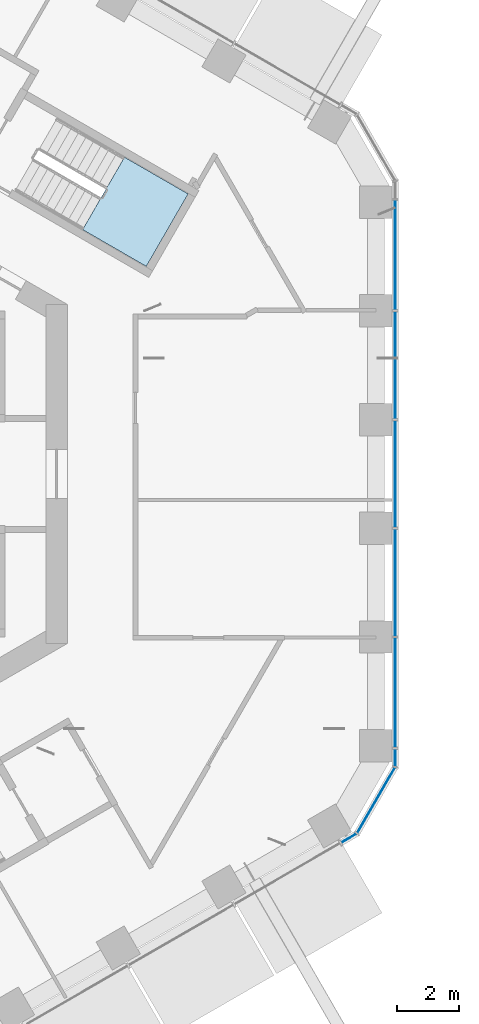
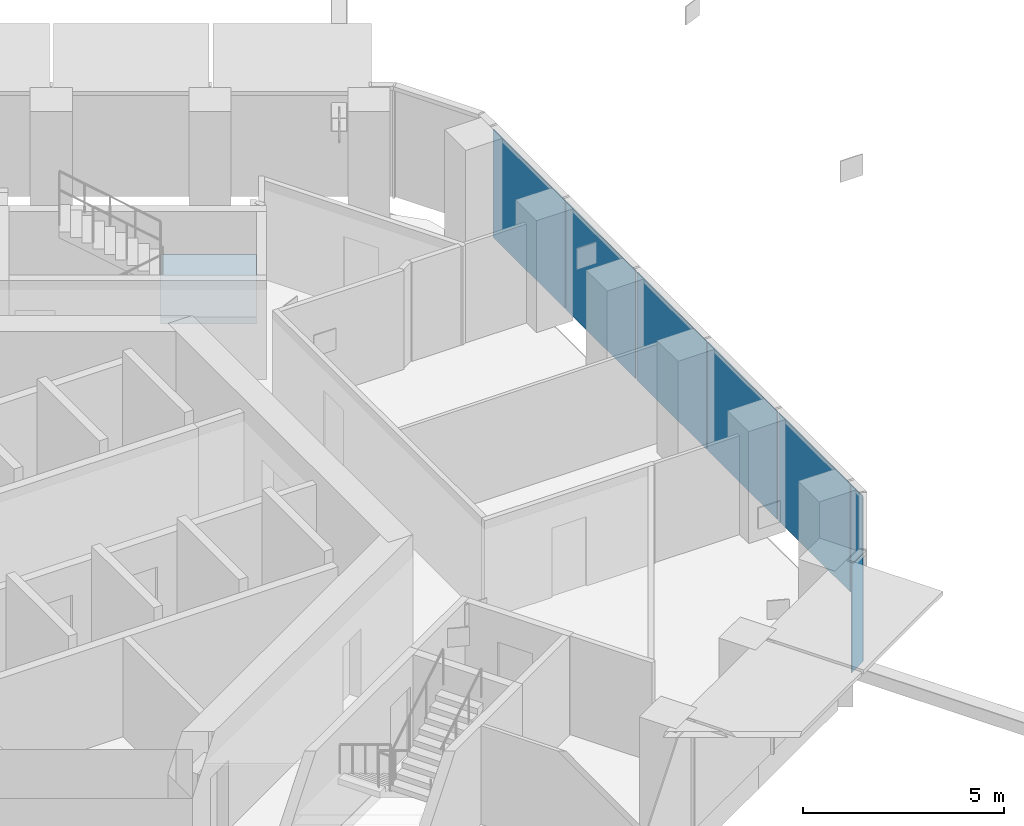
# One storey, part 11 of 21: 8 plates, 1 slab, 3 elements without a shape of their own.
"""IFC4 building model written with IfcOpenShell, lengths in metres."""

from ifc_helpers import new_model, si_unit, direction, frame, origin, origin_2d, place, context, subcontext, project, spatial, polyline, rectangle, outline, extrude, material, layer, layer_set, type_object, element, aggregate, save


model = new_model("IFC4")

# Units and contexts
model_context = context("Model", 3, precision=1e-05, world=origin(), true_north=direction((0.0, 1.0)))
body_context = subcontext(model_context, "Body", "Model", "MODEL_VIEW")
ifc_project = project(units=[si_unit("LENGTHUNIT", "METRE"), si_unit("AREAUNIT", "SQUARE_METRE"), si_unit("VOLUMEUNIT", "CUBIC_METRE"), si_unit("PLANEANGLEUNIT", "RADIAN"), si_unit("MASSUNIT", "GRAM", prefix="KILO")], contexts=[model_context])

# Site, building, storey
site_placement = place(None, origin())
site = spatial("IfcSite", under=ifc_project, at=site_placement, CompositionType="ELEMENT")
building_placement = place(site_placement, origin())
building = spatial("IfcBuilding", under=site, at=building_placement, Name="Ayvan Gate Tower", CompositionType="ELEMENT")
storey_placement = place(building_placement, frame((0.0, 0.0, 117.10009765625)))
storey = spatial("IfcBuildingStorey", under=building, at=storey_placement, Name="L31", CompositionType="ELEMENT", Elevation=117.10009765625)

# Stair, slab
ifc_material_1 = material(Name="Concrete C40/50", Category="concrete")
stair_type = type_object("IfcStairType", Name="ST-EXIT", PredefinedType="HALF_TURN_STAIR", material=ifc_material_1)
stair_placement = place(storey_placement, origin())
stair = element("IfcStair", 1, at=stair_placement, inside=storey, type_object=stair_type, Name="L31 Exit Stair S1", PredefinedType="HALF_TURN_STAIR")
ifc_layer_1 = layer(ifc_material_1, 0.199951171875)
ifc_layer_set_1 = layer_set([ifc_layer_1], Name="Concrete C40/50")
slab_type = type_object("IfcSlabType", Name="SL-LANDING-200", PredefinedType="LANDING", material=ifc_layer_set_1)
slab_placement = place(storey_placement, frame((0.0, 0.0, 1.5)))
slab = element("IfcSlab", 2, at=slab_placement, type_object=slab_type, Name="STS1 landing 1", PredefinedType="LANDING", context=body_context, shape_type="SweptSolid", body=[
    extrude(outline(polyline([(9.988525390625, 7.91064453125), (12.049560546875, 6.720458984375), (13.404541015625, 9.0673828125), (11.343505859375, 10.257568359375), (9.988525390625, 7.91064453125)])), origin(), (0.0, 0.0, 1.0), 0.199951171875),
])
aggregate(stair, [slab])

# Curtain wall, plates
ifc_material_2 = material(Name="Bronze anodised aluminium", Category="aluminium")
ifc_layer_2 = layer(ifc_material_2, 0.199951171875)
ifc_layer_set_2 = layer_set([ifc_layer_2], Name="Bronze anodised aluminium")
curtain_wall_type_1 = type_object("IfcCurtainWallType", Name="Stick curtain wall CW-1", PredefinedType="NOTDEFINED", material=ifc_layer_set_2)
curtain_wall_1_placement = place(storey_placement, origin())
curtain_wall_1 = element("IfcCurtainWall", 3, at=curtain_wall_1_placement, inside=storey, type_object=curtain_wall_type_1, Name="Stick curtain wall CW-1 L31", PredefinedType="NOTDEFINED")
ifc_material_3 = material(Name="Clear low-iron laminated glass", Category="glass")
ifc_layer_3 = layer(ifc_material_3, 0.028076171875)
ifc_layer_set_3 = layer_set([ifc_layer_3], Name="Clear low-iron laminated glass")
plate_type_1 = type_object("IfcPlateType", Name="Stick curtain wall CW-1 glass panel", PredefinedType="CURTAIN_PANEL", material=ifc_layer_set_3)
plate_1_placement = place(storey_placement, frame((20.110595703125, -7.096923828125, 0.0), z_axis=(0.0, 0.0, 1.0), x_axis=(0.0, 1.0, 0.0)))
plate_1 = element("IfcPlate", 4, at=plate_1_placement, type_object=plate_type_1, Name="CW-1 glass panel 1", PredefinedType="CURTAIN_PANEL", context=body_context, shape_type="SweptSolid", body=[
    extrude(rectangle(XDim=3.575927734375, YDim=0.028076171875, at=origin_2d()), origin(), (0.0, 0.0, 1.0), 3.280029296875),
])
plate_2_placement = place(storey_placement, frame((20.110595703125, -3.51953125, 0.0), z_axis=(0.0, 0.0, 1.0), x_axis=(0.0, 1.0, 0.0)))
plate_2 = element("IfcPlate", 5, at=plate_2_placement, type_object=plate_type_1, Name="CW-1 glass panel 2", PredefinedType="CURTAIN_PANEL", context=body_context, shape_type="SweptSolid", body=[
    extrude(rectangle(XDim=3.458984375, YDim=0.028076171875, at=origin_2d()), origin(), (0.0, 0.0, 1.0), 3.280029296875),
])
plate_3_placement = place(storey_placement, frame((20.110595703125, 0.0, 0.0), z_axis=(0.0, 0.0, 1.0), x_axis=(0.0, 1.0, 0.0)))
plate_3 = element("IfcPlate", 6, at=plate_3_placement, type_object=plate_type_1, Name="CW-1 glass panel 3", PredefinedType="CURTAIN_PANEL", context=body_context, shape_type="SweptSolid", body=[
    extrude(rectangle(XDim=3.4599609375, YDim=0.028076171875, at=origin_2d()), origin(), (0.0, 0.0, 1.0), 3.280029296875),
])
plate_4_placement = place(storey_placement, frame((20.110595703125, 3.51953125, 0.0), z_axis=(0.0, 0.0, 1.0), x_axis=(0.0, 1.0, 0.0)))
plate_4 = element("IfcPlate", 7, at=plate_4_placement, type_object=plate_type_1, Name="CW-1 glass panel 4", PredefinedType="CURTAIN_PANEL", context=body_context, shape_type="SweptSolid", body=[
    extrude(rectangle(XDim=3.458984375, YDim=0.028076171875, at=origin_2d()), origin(), (0.0, 0.0, 1.0), 3.280029296875),
])
plate_5_placement = place(storey_placement, frame((20.110595703125, 7.096923828125, 0.0), z_axis=(0.0, 0.0, 1.0), x_axis=(0.0, 1.0, 0.0)))
plate_5 = element("IfcPlate", 8, at=plate_5_placement, type_object=plate_type_1, Name="CW-1 glass panel 5", PredefinedType="CURTAIN_PANEL", context=body_context, shape_type="SweptSolid", body=[
    extrude(rectangle(XDim=3.575927734375, YDim=0.028076171875, at=origin_2d()), origin(), (0.0, 0.0, 1.0), 3.280029296875),
])
aggregate(curtain_wall_1, [plate_1, plate_2, plate_3, plate_4, plate_5])

ifc_layer_4 = layer(ifc_material_2, 0.199951171875)
ifc_layer_set_4 = layer_set([ifc_layer_4], Name="Bronze anodised aluminium")
curtain_wall_type_2 = type_object("IfcCurtainWallType", Name="Stick curtain wall CW-6", PredefinedType="NOTDEFINED", material=ifc_layer_set_4)
curtain_wall_2_placement = place(storey_placement, origin())
curtain_wall_2 = element("IfcCurtainWall", 9, at=curtain_wall_2_placement, inside=storey, type_object=curtain_wall_type_2, Name="Stick curtain wall CW-6 L31", PredefinedType="NOTDEFINED")
ifc_layer_5 = layer(ifc_material_3, 0.028076171875)
ifc_layer_set_5 = layer_set([ifc_layer_5], Name="Clear low-iron laminated glass")
plate_type_2 = type_object("IfcPlateType", Name="Stick curtain wall CW-6 glass panel", PredefinedType="CURTAIN_PANEL", material=ifc_layer_set_5)
plate_6_placement = place(storey_placement, frame((18.607421875, -11.79345703125, 0.0), z_axis=(0.0, 0.0, 1.0), x_axis=(0.866025403784, 0.5, 0.0)))
plate_6 = element("IfcPlate", 10, at=plate_6_placement, type_object=plate_type_2, Name="CW-6 glass panel 1", PredefinedType="CURTAIN_PANEL", context=body_context, shape_type="SweptSolid", body=[
    extrude(rectangle(XDim=0.550048828125, YDim=0.028076171875, at=origin_2d()), origin(), (0.0, 0.0, 1.0), 3.280029296875),
])
plate_7_placement = place(storey_placement, frame((19.489013671875, -10.566650390625, 0.0), z_axis=(0.0, 0.0, 1.0), x_axis=(0.5, 0.866025403784, 0.0)))
plate_7 = element("IfcPlate", 11, at=plate_7_placement, type_object=plate_type_2, Name="CW-6 glass panel 2", PredefinedType="CURTAIN_PANEL", context=body_context, shape_type="SweptSolid", body=[
    extrude(rectangle(XDim=2.4365234375, YDim=0.028076171875, at=origin_2d()), origin(), (0.0, 0.0, 1.0), 3.280029296875),
])
plate_8_placement = place(storey_placement, frame((20.110595703125, -9.18994140625, 0.0), z_axis=(0.0, 0.0, 1.0), x_axis=(0.0, 1.0, 0.0)))
plate_8 = element("IfcPlate", 12, at=plate_8_placement, type_object=plate_type_2, Name="CW-6 glass panel 3", PredefinedType="CURTAIN_PANEL", context=body_context, shape_type="SweptSolid", body=[
    extrude(rectangle(XDim=0.550048828125, YDim=0.028076171875, at=origin_2d()), origin(), (0.0, 0.0, 1.0), 3.280029296875),
])
aggregate(curtain_wall_2, [plate_6, plate_7, plate_8])

save(model, "model.ifc")
